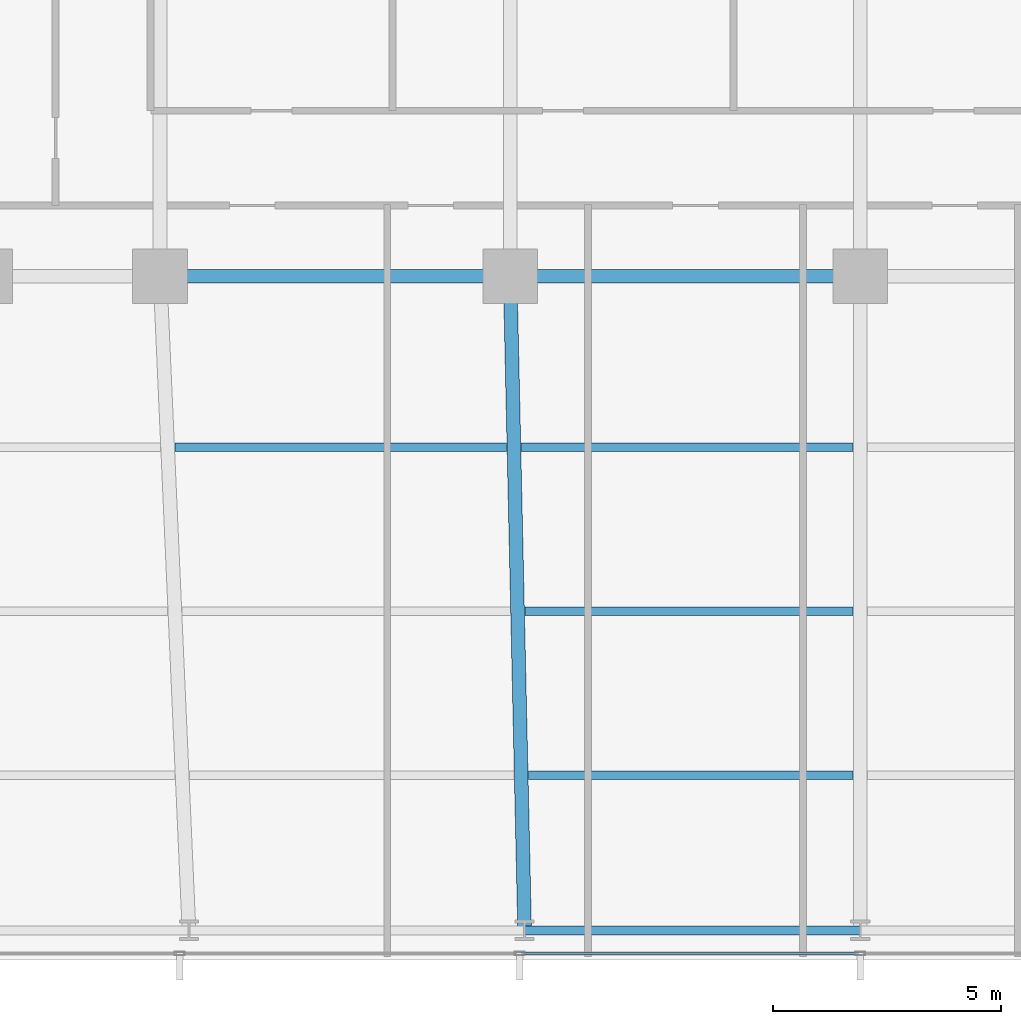
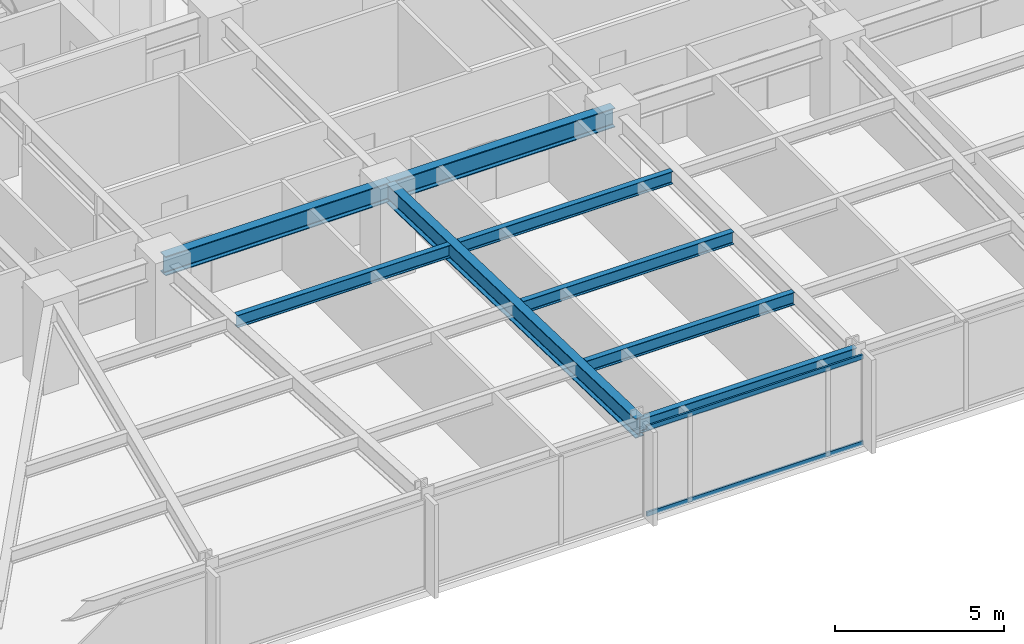
# One storey, part 6 of 33: 8 beams, 2 members, 1 element without a shape of its own.
"""IFC4 building model written with IfcOpenShell, lengths in metres."""

from ifc_helpers import new_model, si_unit, direction, frame, origin, origin_2d, place, context, subcontext, project, spatial, hollow_rectangle, i_section, extrude, material, material_profile, profile_set, type_object, element, aggregate, save


model = new_model("IFC4")

# Units and contexts
model_context = context("Model", 3, precision=1e-05, world=origin(), true_north=direction((0.0, 1.0)))
body_context = subcontext(model_context, "Body", "Model", "MODEL_VIEW")
ifc_project = project(units=[si_unit("LENGTHUNIT", "METRE"), si_unit("AREAUNIT", "SQUARE_METRE"), si_unit("VOLUMEUNIT", "CUBIC_METRE"), si_unit("PLANEANGLEUNIT", "RADIAN"), si_unit("MASSUNIT", "GRAM", prefix="KILO")], contexts=[model_context])

# Site, building, storey
site_placement = place(None, origin())
site = spatial("IfcSite", under=ifc_project, at=site_placement, CompositionType="ELEMENT")
building_placement = place(site_placement, origin())
building = spatial("IfcBuilding", under=site, at=building_placement, Name="Yelkora Congress Tower", CompositionType="ELEMENT")
storey_placement = place(building_placement, frame((0.0, 0.0, 54.199951171875)))
storey = spatial("IfcBuildingStorey", under=building, at=storey_placement, Name="L13", CompositionType="ELEMENT", Elevation=54.199951171875)

# Beams
ifc_material_1 = material(Name="Steel S355J2", Category="steel")
ifc_material_profile_1 = material_profile(ifc_material_1, i_section(OverallWidth=0.300048828125, OverallDepth=0.699951171875, WebThickness=0.01708984375, FlangeThickness=0.031982421875, FilletRadius=0.027099609375, at=origin_2d()), Name="HEB 700")
ifc_profile_set_1 = profile_set([ifc_material_profile_1], Name="Steel S355J2")
beam_type_1 = type_object("IfcBeamType", Name="BM-GIRD-HEB700", PredefinedType="BEAM", material=ifc_profile_set_1)
for number, where, z_axis, x_axis, name in (
    (1, (23.0400390625, 25.199951171875, 2.830078125), (1.0, 0.0, 0.0), (0.0, 1.0, 0.0), "L13 Spine Grid D Girder 2"),
    (2, (30.719970703125, 25.199951171875, 2.830078125), (1.0, 0.0, 0.0), (0.0, 1.0, 0.0), "L13 Spine Grid D Girder 3"),
):
    element("IfcBeam", number, at=place(storey_placement, frame(where, z_axis=z_axis, x_axis=x_axis)), inside=storey, type_object=beam_type_1, Name=name, PredefinedType="BEAM", context=body_context, shape_type="SweptSolid", body=[
        extrude(i_section(OverallWidth=0.300048828125, OverallDepth=0.699951171875, WebThickness=0.01708984375, FlangeThickness=0.031982421875, FilletRadius=0.027099609375, at=origin_2d()), origin(), (0.0, 0.0, 1.0), 7.679931640625),
    ])
beam_1_placement = place(storey_placement, frame((31.03759765625, 10.85009765625, 2.830078125), z_axis=(-0.022129088136, 0.999755121746, 0.0), x_axis=(-0.999755121746, -0.022129088136, 0.0)))
element("IfcBeam", 3, at=beam_1_placement, inside=storey, type_object=beam_type_1, Name="L13 Primary Frame Girder S04", PredefinedType="BEAM", context=body_context, shape_type="SweptSolid", body=[
    extrude(i_section(OverallWidth=0.300048828125, OverallDepth=0.699951171875, WebThickness=0.01708984375, FlangeThickness=0.031982421875, FilletRadius=0.027099609375, at=origin_2d()), origin(), (0.0, 0.0, 1.0), 14.353271484375),
])
ifc_material_profile_2 = material_profile(ifc_material_1, i_section(OverallWidth=0.18994140625, OverallDepth=0.449951171875, WebThickness=0.009521484375, FlangeThickness=0.0146484375, FilletRadius=0.02099609375, at=origin_2d()), Name="IPE 450")
ifc_profile_set_2 = profile_set([ifc_material_profile_2], Name="Steel S355J2")
beam_type_2 = type_object("IfcBeamType", Name="BM-JOIST-IPE450", PredefinedType="JOIST", material=ifc_profile_set_2)
beam_2_placement = place(storey_placement, frame((31.122314453125, 14.25, 2.955078125), z_axis=(1.0, 0.0, 0.0), x_axis=(0.0, 1.0, 0.0)))
element("IfcBeam", 4, at=beam_2_placement, inside=storey, type_object=beam_type_2, Name="L13 Composite Floor Joist 4", PredefinedType="JOIST", context=body_context, shape_type="SweptSolid", body=[
    extrude(i_section(OverallWidth=0.18994140625, OverallDepth=0.449951171875, WebThickness=0.009521484375, FlangeThickness=0.0146484375, FilletRadius=0.02099609375, at=origin_2d()), origin(), (0.0, 0.0, 1.0), 7.11767578125),
])
beam_3_placement = place(storey_placement, frame((31.04248046875, 17.85009765625, 2.955078125), z_axis=(1.0, 0.0, 0.0), x_axis=(0.0, 1.0, 0.0)))
element("IfcBeam", 5, at=beam_3_placement, inside=storey, type_object=beam_type_2, Name="L13 Composite Floor Joist 12", PredefinedType="JOIST", context=body_context, shape_type="SweptSolid", body=[
    extrude(i_section(OverallWidth=0.18994140625, OverallDepth=0.449951171875, WebThickness=0.009521484375, FlangeThickness=0.0146484375, FilletRadius=0.02099609375, at=origin_2d()), origin(), (0.0, 0.0, 1.0), 7.197509765625),
])
for number, where, z_axis, x_axis, name in (
    (6, (23.365966796875, 21.449951171875, 2.955078125), (1.0, 0.0, 0.0), (0.0, 1.0, 0.0), "L13 Composite Floor Joist 18"),
    (7, (30.962890625, 21.449951171875, 2.955078125), (1.0, 0.0, 0.0), (0.0, 1.0, 0.0), "L13 Composite Floor Joist 19"),
):
    element("IfcBeam", number, at=place(storey_placement, frame(where, z_axis=z_axis, x_axis=x_axis)), inside=storey, type_object=beam_type_2, Name=name, PredefinedType="JOIST", context=body_context, shape_type="SweptSolid", body=[
        extrude(i_section(OverallWidth=0.18994140625, OverallDepth=0.449951171875, WebThickness=0.009521484375, FlangeThickness=0.0146484375, FilletRadius=0.02099609375, at=origin_2d()), origin(), (0.0, 0.0, 1.0), 7.277099609375),
    ])
ifc_material_profile_3 = material_profile(ifc_material_1, i_section(OverallWidth=0.199951171875, OverallDepth=0.5, WebThickness=0.01025390625, FlangeThickness=0.01611328125, FilletRadius=0.02099609375, at=origin_2d()), Name="IPE 500")
ifc_profile_set_3 = profile_set([ifc_material_profile_3], Name="Steel S355J2")
beam_type_3 = type_object("IfcBeamType", Name="BM-SPAN-IPE500", PredefinedType="SPANDREL", material=ifc_profile_set_3)
beam_4_placement = place(storey_placement, frame((31.03759765625, 10.85009765625, 2.929931640625), z_axis=(1.0, 0.0, 0.0), x_axis=(0.0, 1.0, 0.0)))
element("IfcBeam", 8, at=beam_4_placement, inside=storey, type_object=beam_type_3, Name="L13 Perimeter Beam 5", PredefinedType="SPANDREL", context=body_context, shape_type="SweptSolid", body=[
    extrude(i_section(OverallWidth=0.199951171875, OverallDepth=0.5, WebThickness=0.01025390625, FlangeThickness=0.01611328125, FilletRadius=0.02099609375, at=origin_2d()), origin(), (0.0, 0.0, 1.0), 7.3623046875),
])

# Curtain wall, members
ifc_material_2 = material(Name="Anodised aluminium and insulated glass", Category="aluminium")
curtain_wall_type = type_object("IfcCurtainWallType", Name="CW-SYS-B1", PredefinedType="NOTDEFINED", material=ifc_material_2)
curtain_wall_placement = place(storey_placement, origin())
curtain_wall = element("IfcCurtainWall", 9, at=curtain_wall_placement, inside=storey, type_object=curtain_wall_type, Name="L13 Unitised Curtain Wall 20", PredefinedType="NOTDEFINED")
ifc_material_3 = material(Name="Anodised aluminium 6063-T6", Category="aluminium")
ifc_material_profile_4 = material_profile(ifc_material_3, hollow_rectangle(XDim=0.06494140625, YDim=0.159912109375, WallThickness=0.00390625, at=origin_2d()), Name="ALU 65x160x4")
ifc_profile_set_4 = profile_set([ifc_material_profile_4], Name="Anodised aluminium 6063-T6")
member_type = type_object("IfcMemberType", Name="MEM-TR-B1", PredefinedType="USERDEFINED", material=ifc_profile_set_4)
member_1_placement = place(storey_placement, frame((38.362548828125, 10.340087890625, 0.032470703125), z_axis=(-1.0, 0.0, 0.0), x_axis=(0.0, -1.0, 0.0)))
member_1 = element("IfcMember", 10, at=member_1_placement, type_object=member_type, Name="CW-B1 transom 5.1", ObjectType="TRANSOM", PredefinedType="USERDEFINED", context=body_context, shape_type="SweptSolid", body=[
    extrude(hollow_rectangle(XDim=0.06494140625, YDim=0.159912109375, WallThickness=0.00390625, at=origin_2d()), origin(), (0.0, 0.0, 1.0), 7.39013671875),
])
member_2_placement = place(storey_placement, frame((38.362548828125, 10.340087890625, 3.1474609375), z_axis=(-1.0, 0.0, 0.0), x_axis=(0.0, -1.0, 0.0)))
member_2 = element("IfcMember", 11, at=member_2_placement, type_object=member_type, Name="CW-B1 transom 5.2", ObjectType="TRANSOM", PredefinedType="USERDEFINED", context=body_context, shape_type="SweptSolid", body=[
    extrude(hollow_rectangle(XDim=0.06494140625, YDim=0.159912109375, WallThickness=0.00390625, at=origin_2d()), origin(), (0.0, 0.0, 1.0), 7.39013671875),
])
aggregate(curtain_wall, [member_1, member_2])

save(model, "model.ifc")
